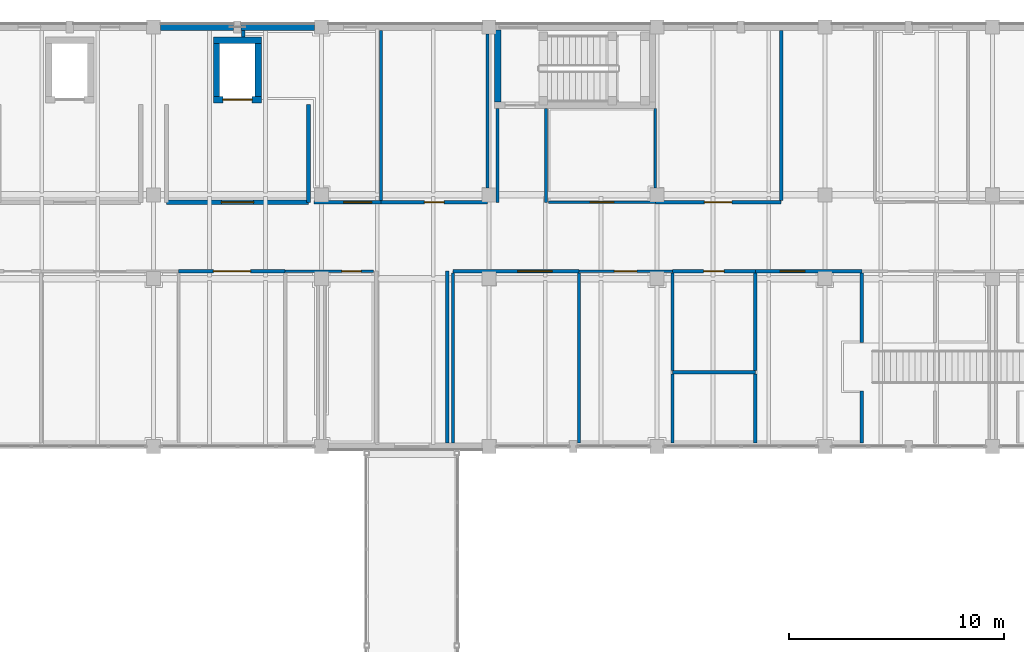
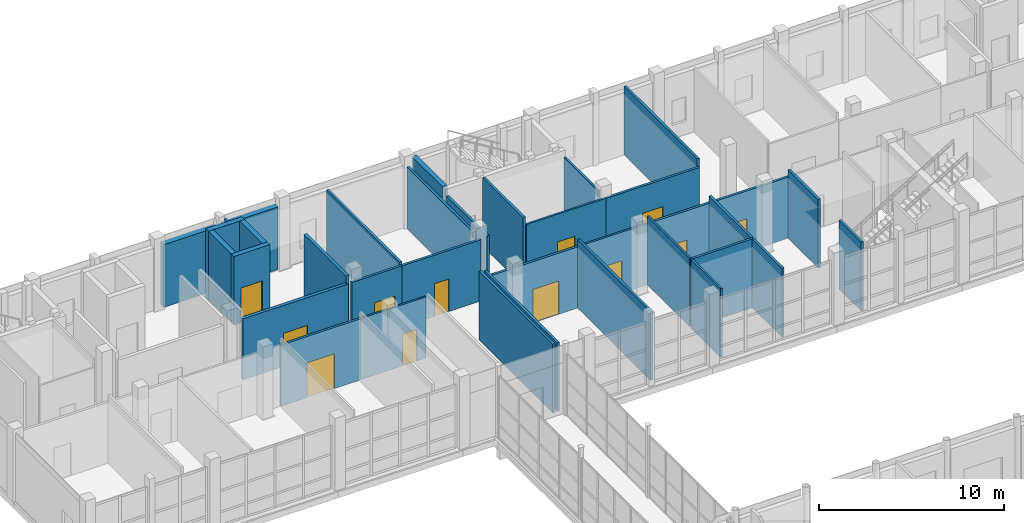
# One storey, part 100 of 131: 36 walls, 12 doors, 12 openings.
"""IFC4 building model written with IfcOpenShell, lengths in metres."""

from ifc_helpers import new_model, si_unit, direction, frame, frame_2d, origin, place, context, subcontext, project, spatial, rectangle, extrude, material, layer, layer_set, type_object, element, fill, save


model = new_model("IFC4")

# Units and contexts
model_context = context("Model", 3, precision=1e-05, world=origin(), true_north=direction((0.0, 1.0)))
body_context = subcontext(model_context, "Body", "Model", "MODEL_VIEW")
ifc_project = project(units=[si_unit("LENGTHUNIT", "METRE"), si_unit("AREAUNIT", "SQUARE_METRE"), si_unit("VOLUMEUNIT", "CUBIC_METRE"), si_unit("PLANEANGLEUNIT", "RADIAN"), si_unit("MASSUNIT", "GRAM", prefix="KILO")], contexts=[model_context])

# Site, building, storey
site_placement = place(None, origin())
site = spatial("IfcSite", under=ifc_project, at=site_placement, CompositionType="ELEMENT")
building_placement = place(site_placement, origin())
building = spatial("IfcBuilding", under=site, at=building_placement, Name="Celorna Specialist Clinic", CompositionType="ELEMENT")
storey_placement = place(building_placement, origin())
storey = spatial("IfcBuildingStorey", under=building, at=storey_placement, Name="L00", CompositionType="ELEMENT", Elevation=0.0)

# Walls
ifc_material_1 = material(Name="Pero Pinheiro Lioz limestone insulated masonry", Category="masonry")
ifc_layer_1 = layer(ifc_material_1, 0.340087890625, Name="Pero Pinheiro Lioz limestone insulated masonry")
ifc_layer_set_1 = layer_set([ifc_layer_1], Name="Pero Pinheiro Lioz limestone insulated masonry")
wall_type_1 = type_object("IfcWallType", Name="WT-07", PredefinedType="STANDARD", material=ifc_layer_set_1)
for number, where, z_axis, x_axis, name in (
    (1, (62.72509765625, 116.0, 0.0), (0.0, 0.0, 1.0), (1.0, 0.0, 0.0), "External facade wall WT-07 #163"),
    (2, (66.47509765625, 116.0, 0.0), (0.0, 0.0, 1.0), (1.0, 0.0, 0.0), "External facade wall WT-07 #164"),
):
    element("IfcWall", number, at=place(storey_placement, frame(where, z_axis=z_axis, x_axis=x_axis)), inside=storey, type_object=wall_type_1, Name=name, PredefinedType="STANDARD", context=body_context, shape_type="SweptSolid", body=[
        extrude(rectangle(XDim=3.39990234375, YDim=0.340087890625, at=frame_2d((1.699951171875, 0.0))), origin(), (0.0, 0.0, 1.0), 4.139892578125),
    ])
ifc_material_2 = material(Name="Concrete C35/45", Category="concrete")
ifc_layer_2 = layer(ifc_material_2, 0.300048828125, Name="Concrete C35/45")
ifc_layer_set_2 = layer_set([ifc_layer_2], Name="Concrete C35/45")
wall_type_2 = type_object("IfcWallType", Name="WT-08", PredefinedType="SHEAR", material=ifc_layer_set_2)
wall_1_placement = place(storey_placement, frame((78.389892578125, 115.85009765625, 0.0), z_axis=(0.0, 0.0, 1.0), x_axis=(0.0, -1.0, 0.0)))
element("IfcWall", 3, at=wall_1_placement, inside=storey, type_object=wall_type_2, Name="Stair ST-02 RC core wall L00 west", PredefinedType="SHEAR", context=body_context, shape_type="SweptSolid", body=[
    extrude(rectangle(XDim=3.330078125, YDim=0.300048828125, at=frame_2d((1.6650390625, 0.0))), origin(), (0.0, 0.0, 1.0), 4.5400390625),
])

# Wall, opening, door
wall_2_placement = place(storey_placement, frame((65.175048828125, 112.625, 0.0), z_axis=(0.0, 0.0, 1.0), x_axis=(1.0, 0.0, 0.0)))
wall_2 = element("IfcWall", 4, at=wall_2_placement, inside=storey, type_object=wall_type_2, Name="Lift LF-02 RC shaft wall L00", PredefinedType="SHEAR", context=body_context, shape_type="SweptSolid", body=[
    extrude(rectangle(XDim=2.25, YDim=0.300048828125, at=frame_2d((1.125, 0.0))), origin(), (0.0, 0.0, 1.0), 4.5400390625),
])
opening_1_placement = place(wall_2_placement, frame((0.449951171875, 0.0, 0.0)))
opening_1 = element("IfcOpeningElement", 5, at=opening_1_placement, cuts=wall_2, Name="Opening LD-02", PredefinedType="OPENING", context=body_context, shape_type="SweptSolid", body=[
    extrude(rectangle(XDim=1.35009765625, YDim=2.300048828125, at=frame_2d((0.675048828125, 1.14990234375))), frame((0.0, 0.159912109375, 0.0), z_axis=(0.0, -1.0, 0.0), x_axis=(1.0, 0.0, 0.0)), (0.0, 0.0, 1.0), 0.320068359375),
])
ifc_material_3 = material(Name="Firefighting stretcher lift landing sliding door")
door_type_1 = type_object("IfcDoorType", Name="LD-02", OperationType="DOUBLE_DOOR_SLIDING", PredefinedType="DOOR", material=ifc_material_3)
door_1_placement = place(opening_1_placement, origin())
door_1 = element("IfcDoor", 6, at=door_1_placement, inside=storey, type_object=door_type_1, Name="Lift LF-02 sliding landing door L00", OperationType="DOUBLE_DOOR_SLIDING", OverallHeight=2.300048828125, OverallWidth=1.35009765625, PredefinedType="DOOR", context=body_context, shape_type="SweptSolid", body=[
    extrude(rectangle(XDim=1.35009765625, YDim=2.300048828125, at=frame_2d((0.675048828125, 1.14990234375))), frame((0.0, 0.02490234375, 0.0), z_axis=(0.0, -1.0, 0.0), x_axis=(1.0, 0.0, 0.0)), (0.0, 0.0, 1.0), 0.050048828125),
])
fill(opening_1, door_1)

# Walls
wall_3_placement = place(storey_placement, frame((67.425048828125, 115.375, 0.0), z_axis=(0.0, 0.0, 1.0), x_axis=(-1.0, 0.0, 0.0)))
element("IfcWall", 7, at=wall_3_placement, inside=storey, type_object=wall_type_2, Name="Lift LF-02 RC shaft wall L00", PredefinedType="SHEAR", context=body_context, shape_type="SweptSolid", body=[
    extrude(rectangle(XDim=2.25, YDim=0.300048828125, at=frame_2d((1.125, 0.0))), origin(), (0.0, 0.0, 1.0), 4.5400390625),
])
for number, where, z_axis, x_axis, name in (
    (8, (65.324951171875, 115.22509765625, 0.0), (0.0, 0.0, 1.0), (0.0, -1.0, 0.0), "Lift LF-02 RC shaft wall L00"),
    (9, (67.27490234375, 112.77490234375, 0.0), (0.0, 0.0, 1.0), (0.0, 1.0, 0.0), "Lift LF-02 RC shaft wall L00"),
):
    element("IfcWall", number, at=place(storey_placement, frame(where, z_axis=z_axis, x_axis=x_axis)), inside=storey, type_object=wall_type_2, Name=name, PredefinedType="SHEAR", context=body_context, shape_type="SweptSolid", body=[
        extrude(rectangle(XDim=2.4501953125, YDim=0.300048828125, at=frame_2d((1.22509765625, 0.0))), origin(), (0.0, 0.0, 1.0), 4.5400390625),
    ])

# Wall, opening, door
ifc_layer_3 = layer(ifc_material_2, 0.199951171875, Name="Concrete C35/45")
ifc_layer_set_3 = layer_set([ifc_layer_3], Name="Concrete C35/45")
wall_type_3 = type_object("IfcWallType", Name="WT-12", PredefinedType="SOLIDWALL", material=ifc_layer_set_3)
wall_4_placement = place(storey_placement, frame((63.0, 107.85009765625, 0.0), z_axis=(0.0, 0.0, 1.0), x_axis=(1.0, 0.0, 0.0)))
wall_4 = element("IfcWall", 10, at=wall_4_placement, inside=storey, type_object=wall_type_3, Name="Firefighting lobby wall LF-02 L00", PredefinedType="SOLIDWALL", context=body_context, shape_type="SweptSolid", body=[
    extrude(rectangle(XDim=6.60009765625, YDim=0.199951171875, at=frame_2d((3.300048828125, 0.0))), origin(), (0.0, 0.0, 1.0), 4.0400390625),
])
opening_2_placement = place(wall_4_placement, frame((2.550048828125, 0.0, 0.0)))
opening_2 = element("IfcOpeningElement", 11, at=opening_2_placement, cuts=wall_4, Name="Opening DR-11", PredefinedType="OPENING", context=body_context, shape_type="SweptSolid", body=[
    extrude(rectangle(XDim=1.5, YDim=2.199951171875, at=frame_2d((0.75, 1.10009765625))), frame((0.0, 0.10986328125, 0.0), z_axis=(0.0, -1.0, 0.0), x_axis=(1.0, 0.0, 0.0)), (0.0, 0.0, 1.0), 0.219970703125),
])
ifc_material_4 = material(Name="Firefighting lobby double fire door")
door_type_2 = type_object("IfcDoorType", Name="DR-11", OperationType="DOUBLE_DOOR_SINGLE_SWING", PredefinedType="DOOR", material=ifc_material_4)
door_2_placement = place(opening_2_placement, origin())
door_2 = element("IfcDoor", 12, at=door_2_placement, inside=storey, type_object=door_type_2, Name="Firefighting lobby fire door LF-02 L00", OperationType="DOUBLE_DOOR_SINGLE_SWING", OverallHeight=2.199951171875, OverallWidth=1.5, PredefinedType="DOOR", context=body_context, shape_type="SweptSolid", body=[
    extrude(rectangle(XDim=1.5, YDim=2.199951171875, at=frame_2d((0.75, 1.10009765625))), frame((0.0, 0.02490234375, 0.0), z_axis=(0.0, -1.0, 0.0), x_axis=(1.0, 0.0, 0.0)), (0.0, 0.0, 1.0), 0.050048828125),
])
fill(opening_2, door_2)

# Walls
wall_5_placement = place(storey_placement, frame((69.60009765625, 107.85009765625, 0.0), z_axis=(0.0, 0.0, 1.0), x_axis=(0.0, 1.0, 0.0)))
element("IfcWall", 13, at=wall_5_placement, inside=storey, type_object=wall_type_3, Name="Firefighting lobby wall LF-02 L00", PredefinedType="SOLIDWALL", context=body_context, shape_type="SweptSolid", body=[
    extrude(rectangle(XDim=4.5498046875, YDim=0.199951171875, at=frame_2d((2.27490234375, 0.0))), origin(), (0.0, 0.0, 1.0), 4.5400390625),
])
ifc_material_5 = material(Name="Fire-rated gypsum board partition")
ifc_layer_4 = layer(ifc_material_5, 0.14990234375, Name="Fire-rated gypsum board partition")
ifc_layer_set_4 = layer_set([ifc_layer_4], Name="Fire-rated gypsum board partition")
wall_type_4 = type_object("IfcWallType", Name="WT-14", PredefinedType="PARTITIONING", material=ifc_layer_set_4)
wall_6_placement = place(storey_placement, frame((78.389892578125, 107.85009765625, 0.0), z_axis=(0.0, 0.0, 1.0), x_axis=(0.0, 1.0, 0.0)))
element("IfcWall", 14, at=wall_6_placement, inside=storey, type_object=wall_type_4, Name="Corridor spur partition WT-14", PredefinedType="PARTITIONING", context=body_context, shape_type="SweptSolid", body=[
    extrude(rectangle(XDim=4.369873046875, YDim=0.14990234375, at=frame_2d((2.18505859375, 0.0))), origin(), (0.0, 0.0, 1.0), 4.090087890625),
])
wall_7_placement = place(storey_placement, frame((80.639892578125, 107.85009765625, 0.0), z_axis=(0.0, 0.0, 1.0), x_axis=(0.0, 1.0, 0.0)))
element("IfcWall", 15, at=wall_7_placement, inside=storey, type_object=wall_type_4, Name="Corridor spur partition WT-14", PredefinedType="PARTITIONING", context=body_context, shape_type="SweptSolid", body=[
    extrude(rectangle(XDim=4.369873046875, YDim=0.14990234375, at=frame_2d((2.18505859375, 0.0))), origin(), (0.0, 0.0, 1.0), 4.5400390625),
])
wall_8_placement = place(storey_placement, frame((76.050048828125, 96.669921875, 0.0), z_axis=(0.0, 0.0, 1.0), x_axis=(0.0, 1.0, 0.0)))
element("IfcWall", 16, at=wall_8_placement, inside=storey, type_object=wall_type_4, Name="Corridor spur partition WT-14", PredefinedType="PARTITIONING", context=body_context, shape_type="SweptSolid", body=[
    extrude(rectangle(XDim=7.97998046875, YDim=0.14990234375, at=frame_2d((3.989990234375, 0.0))), origin(), (0.0, 0.0, 1.0), 4.5400390625),
])

# Wall, opening, door
wall_9_placement = place(storey_placement, frame((68.52001953125, 104.64990234375, 0.0), z_axis=(0.0, 0.0, 1.0), x_axis=(-1.0, 0.0, 0.0)))
wall_9 = element("IfcWall", 17, at=wall_9_placement, inside=storey, type_object=wall_type_4, Name="Interior partition WT-14 L00-053", PredefinedType="PARTITIONING", context=body_context, shape_type="SweptSolid", body=[
    extrude(rectangle(XDim=4.949951171875, YDim=0.14990234375, at=frame_2d((2.47509765625, 0.0))), origin(), (0.0, 0.0, 1.0), 4.0400390625),
])
opening_3_placement = place(wall_9_placement, frame((1.614990234375, 0.0, 0.0)))
opening_3 = element("IfcOpeningElement", 18, at=opening_3_placement, cuts=wall_9, Name="Opening DR-24", PredefinedType="OPENING", context=body_context, shape_type="SweptSolid", body=[
    extrude(rectangle(XDim=1.719970703125, YDim=2.300048828125, at=frame_2d((0.85986328125, 1.14990234375))), frame((0.0, 0.0849609375, 0.0), z_axis=(0.0, -1.0, 0.0), x_axis=(1.0, 0.0, 0.0)), (0.0, 0.0, 1.0), 0.169921875),
])
ifc_material_6 = material(Name="Double leaf clinical waiting door")
door_type_3 = type_object("IfcDoorType", Name="DR-24", OperationType="DOUBLE_DOOR_SINGLE_SWING", PredefinedType="DOOR", material=ifc_material_6)
door_3_placement = place(opening_3_placement, origin())
door_3 = element("IfcDoor", 19, at=door_3_placement, inside=storey, type_object=door_type_3, Name="Phlebotomy and Blood Collection Suite door L00-053", OperationType="DOUBLE_DOOR_SINGLE_SWING", OverallHeight=2.300048828125, OverallWidth=1.719970703125, PredefinedType="DOOR", context=body_context, shape_type="SweptSolid", body=[
    extrude(rectangle(XDim=1.719970703125, YDim=2.300048828125, at=frame_2d((0.85986328125, 1.14990234375))), frame((0.0, 0.02490234375, 0.0), z_axis=(0.0, -1.0, 0.0), x_axis=(1.0, 0.0, 0.0)), (0.0, 0.0, 1.0), 0.050048828125),
])
fill(opening_3, door_3)

wall_10_placement = place(storey_placement, frame((82.169921875, 104.64990234375, 0.0), z_axis=(0.0, 0.0, 1.0), x_axis=(-1.0, 0.0, 0.0)))
wall_10 = element("IfcWall", 20, at=wall_10_placement, inside=storey, type_object=wall_type_4, Name="Interior partition WT-14 L00-055", PredefinedType="PARTITIONING", context=body_context, shape_type="SweptSolid", body=[
    extrude(rectangle(XDim=5.849853515625, YDim=0.14990234375, at=frame_2d((2.9248046875, 0.0))), origin(), (0.0, 0.0, 1.0), 4.0400390625),
])
opening_4_placement = place(wall_10_placement, frame((1.24755859375, 0.0, 0.0)))
opening_4 = element("IfcOpeningElement", 21, at=opening_4_placement, cuts=wall_10, Name="Opening DR-12", PredefinedType="OPENING", context=body_context, shape_type="SweptSolid", body=[
    extrude(rectangle(XDim=1.60009765625, YDim=2.199951171875, at=frame_2d((0.800048828125, 1.10009765625))), frame((0.0, 0.0849609375, 0.0), z_axis=(0.0, -1.0, 0.0), x_axis=(1.0, 0.0, 0.0)), (0.0, 0.0, 1.0), 0.169921875),
])
ifc_material_7 = material(Name="Corridor cross-compartment pair door")
door_type_4 = type_object("IfcDoorType", Name="DR-12", OperationType="DOUBLE_DOOR_SINGLE_SWING", PredefinedType="DOOR", material=ifc_material_7)
door_4_placement = place(opening_4_placement, origin())
door_4 = element("IfcDoor", 22, at=door_4_placement, inside=storey, type_object=door_type_4, Name="Outpatient Waiting Lounge door L00-055", OperationType="DOUBLE_DOOR_SINGLE_SWING", OverallHeight=2.199951171875, OverallWidth=1.60009765625, PredefinedType="DOOR", context=body_context, shape_type="SweptSolid", body=[
    extrude(rectangle(XDim=1.60009765625, YDim=2.199951171875, at=frame_2d((0.800048828125, 1.10009765625))), frame((0.0, 0.02490234375, 0.0), z_axis=(0.0, -1.0, 0.0), x_axis=(1.0, 0.0, 0.0)), (0.0, 0.0, 1.0), 0.050048828125),
])
fill(opening_4, door_4)

wall_11_placement = place(storey_placement, frame((90.3701171875, 104.64990234375, 0.0), z_axis=(0.0, 0.0, 1.0), x_axis=(-1.0, 0.0, 0.0)))
wall_11 = element("IfcWall", 23, at=wall_11_placement, inside=storey, type_object=wall_type_4, Name="Interior partition WT-14 L00-057", PredefinedType="PARTITIONING", context=body_context, shape_type="SweptSolid", body=[
    extrude(rectangle(XDim=3.85009765625, YDim=0.14990234375, at=frame_2d((1.925048828125, 0.0))), origin(), (0.0, 0.0, 1.0), 4.0400390625),
])
opening_5_placement = place(wall_11_placement, frame((1.449951171875, 0.0, 0.0)))
opening_5 = element("IfcOpeningElement", 24, at=opening_5_placement, cuts=wall_11, Name="Opening DR-03", PredefinedType="OPENING", context=body_context, shape_type="SweptSolid", body=[
    extrude(rectangle(XDim=0.949951171875, YDim=2.10009765625, at=frame_2d((0.47509765625, 1.050048828125))), frame((0.0, 0.0849609375, 0.0), z_axis=(0.0, -1.0, 0.0), x_axis=(1.0, 0.0, 0.0)), (0.0, 0.0, 1.0), 0.169921875),
])
ifc_material_8 = material(Name="Moisture-resistant accessible WC door")
door_type_5 = type_object("IfcDoorType", Name="DR-03", OperationType="NOTDEFINED", PredefinedType="DOOR", material=ifc_material_8)
door_5_placement = place(opening_5_placement, origin())
door_5 = element("IfcDoor", 25, at=door_5_placement, inside=storey, type_object=door_type_5, Name="Accessible WC door L00-057", OperationType="SINGLE_SWING_LEFT", OverallHeight=2.10009765625, OverallWidth=0.949951171875, PredefinedType="DOOR", context=body_context, shape_type="SweptSolid", body=[
    extrude(rectangle(XDim=0.949951171875, YDim=2.10009765625, at=frame_2d((0.47509765625, 1.050048828125))), frame((0.0, 0.02490234375, 0.0), z_axis=(0.0, -1.0, 0.0), x_axis=(1.0, 0.0, 0.0)), (0.0, 0.0, 1.0), 0.050048828125),
])
fill(opening_5, door_5)

# Wall
wall_12_placement = place(storey_placement, frame((86.52001953125, 99.949951171875, 0.0), z_axis=(0.0, 0.0, 1.0), x_axis=(1.0, 0.0, 0.0)))
element("IfcWall", 26, at=wall_12_placement, inside=storey, type_object=wall_type_4, Name="Sanitary suite rear partition L00-057", PredefinedType="PARTITIONING", context=body_context, shape_type="SweptSolid", body=[
    extrude(rectangle(XDim=3.85009765625, YDim=0.14990234375, at=frame_2d((1.925048828125, 0.0))), origin(), (0.0, 0.0, 1.0), 4.5400390625),
])

# Wall, opening, door
wall_13_placement = place(storey_placement, frame((95.320068359375, 104.64990234375, 0.0), z_axis=(0.0, 0.0, 1.0), x_axis=(-1.0, 0.0, 0.0)))
wall_13 = element("IfcWall", 27, at=wall_13_placement, inside=storey, type_object=wall_type_4, Name="Interior partition WT-14 L00-058", PredefinedType="PARTITIONING", context=body_context, shape_type="SweptSolid", body=[
    extrude(rectangle(XDim=4.949951171875, YDim=0.14990234375, at=frame_2d((2.47509765625, 0.0))), origin(), (0.0, 0.0, 1.0), 4.0400390625),
])
opening_6_placement = place(wall_13_placement, frame((2.642578125, 0.0, 0.0)))
opening_6 = element("IfcOpeningElement", 28, at=opening_6_placement, cuts=wall_13, Name="Opening DR-07", PredefinedType="OPENING", context=body_context, shape_type="SweptSolid", body=[
    extrude(rectangle(XDim=1.14990234375, YDim=2.199951171875, at=frame_2d((0.574951171875, 1.10009765625))), frame((0.0, 0.0849609375, 0.0), z_axis=(0.0, -1.0, 0.0), x_axis=(1.0, 0.0, 0.0)), (0.0, 0.0, 1.0), 0.169921875),
])
ifc_material_9 = material(Name="Hermetic cleanroom airlock door")
door_type_6 = type_object("IfcDoorType", Name="DR-07", OperationType="NOTDEFINED", PredefinedType="DOOR", material=ifc_material_9)
door_6_placement = place(opening_6_placement, origin())
door_6 = element("IfcDoor", 29, at=door_6_placement, inside=storey, type_object=door_type_6, Name="Consulting Room door L00-058", OperationType="SINGLE_SWING_RIGHT", OverallHeight=2.199951171875, OverallWidth=1.14990234375, PredefinedType="DOOR", context=body_context, shape_type="SweptSolid", body=[
    extrude(rectangle(XDim=1.14990234375, YDim=2.199951171875, at=frame_2d((0.574951171875, 1.10009765625))), frame((0.0, 0.02490234375, 0.0), z_axis=(0.0, -1.0, 0.0), x_axis=(1.0, 0.0, 0.0)), (0.0, 0.0, 1.0), 0.050048828125),
])
fill(opening_6, door_6)

wall_14_placement = place(storey_placement, frame((69.85009765625, 107.85009765625, 0.0), z_axis=(0.0, 0.0, 1.0), x_axis=(1.0, 0.0, 0.0)))
wall_14 = element("IfcWall", 30, at=wall_14_placement, inside=storey, type_object=wall_type_4, Name="Interior partition WT-14 L00-072", PredefinedType="PARTITIONING", context=body_context, shape_type="SweptSolid", body=[
    extrude(rectangle(XDim=3.119873046875, YDim=0.14990234375, at=frame_2d((1.56005859375, 0.0))), origin(), (0.0, 0.0, 1.0), 4.0400390625),
])
opening_7_placement = place(wall_14_placement, frame((1.385009765625, 0.0, 0.0)))
opening_7 = element("IfcOpeningElement", 31, at=opening_7_placement, cuts=wall_14, Name="Opening DR-09", PredefinedType="OPENING", context=body_context, shape_type="SweptSolid", body=[
    extrude(rectangle(XDim=1.300048828125, YDim=2.199951171875, at=frame_2d((0.64990234375, 1.10009765625))), frame((0.0, 0.0849609375, 0.0), z_axis=(0.0, -1.0, 0.0), x_axis=(1.0, 0.0, 0.0)), (0.0, 0.0, 1.0), 0.169921875),
])
ifc_material_10 = material(Name="Lead-lined radiology room door")
door_type_7 = type_object("IfcDoorType", Name="DR-09", OperationType="NOTDEFINED", PredefinedType="DOOR", material=ifc_material_10)
door_7_placement = place(opening_7_placement, origin())
door_7 = element("IfcDoor", 32, at=door_7_placement, inside=storey, type_object=door_type_7, Name="Outpatient Clinic door L00-072", OperationType="SINGLE_SWING_RIGHT", OverallHeight=2.199951171875, OverallWidth=1.300048828125, PredefinedType="DOOR", context=body_context, shape_type="SweptSolid", body=[
    extrude(rectangle(XDim=1.300048828125, YDim=2.199951171875, at=frame_2d((0.64990234375, 1.10009765625))), frame((0.0, 0.02490234375, 0.0), z_axis=(0.0, -1.0, 0.0), x_axis=(1.0, 0.0, 0.0)), (0.0, 0.0, 1.0), 0.050048828125),
])
fill(opening_7, door_7)

wall_15_placement = place(storey_placement, frame((72.969970703125, 107.85009765625, 0.0), z_axis=(0.0, 0.0, 1.0), x_axis=(1.0, 0.0, 0.0)))
wall_15 = element("IfcWall", 33, at=wall_15_placement, inside=storey, type_object=wall_type_4, Name="Interior partition WT-14 L00-073", PredefinedType="PARTITIONING", context=body_context, shape_type="SweptSolid", body=[
    extrude(rectangle(XDim=4.949951171875, YDim=0.14990234375, at=frame_2d((2.47509765625, 0.0))), origin(), (0.0, 0.0, 1.0), 4.0400390625),
])
opening_8_placement = place(wall_15_placement, frame((2.014892578125, 0.0, 0.0)))
opening_8 = element("IfcOpeningElement", 34, at=opening_8_placement, cuts=wall_15, Name="Opening DR-20", PredefinedType="OPENING", context=body_context, shape_type="SweptSolid", body=[
    extrude(rectangle(XDim=0.919921875, YDim=2.14990234375, at=frame_2d((0.4599609375, 1.074951171875))), frame((0.0, 0.0849609375, 0.0), z_axis=(0.0, -1.0, 0.0), x_axis=(1.0, 0.0, 0.0)), (0.0, 0.0, 1.0), 0.169921875),
])
ifc_material_11 = material(Name="Timber clinical consultation door", Category="wood")
door_type_8 = type_object("IfcDoorType", Name="DR-20", OperationType="NOTDEFINED", PredefinedType="DOOR", material=ifc_material_11)
door_8_placement = place(opening_8_placement, origin())
door_8 = element("IfcDoor", 35, at=door_8_placement, inside=storey, type_object=door_type_8, Name="Consulting Room door L00-073", OperationType="SINGLE_SWING_LEFT", OverallHeight=2.14990234375, OverallWidth=0.919921875, PredefinedType="DOOR", context=body_context, shape_type="SweptSolid", body=[
    extrude(rectangle(XDim=0.919921875, YDim=2.14990234375, at=frame_2d((0.4599609375, 1.074951171875))), frame((0.0, 0.02490234375, 0.0), z_axis=(0.0, -1.0, 0.0), x_axis=(1.0, 0.0, 0.0)), (0.0, 0.0, 1.0), 0.050048828125),
])
fill(opening_8, door_8)

wall_16_placement = place(storey_placement, frame((85.719970703125, 107.85009765625, 0.0), z_axis=(0.0, 0.0, 1.0), x_axis=(1.0, 0.0, 0.0)))
wall_16 = element("IfcWall", 36, at=wall_16_placement, inside=storey, type_object=wall_type_4, Name="Interior partition WT-14 L00-075", PredefinedType="PARTITIONING", context=body_context, shape_type="SweptSolid", body=[
    extrude(rectangle(XDim=5.85009765625, YDim=0.14990234375, at=frame_2d((2.925048828125, 0.0))), origin(), (0.0, 0.0, 1.0), 4.0400390625),
])
opening_9_placement = place(wall_16_placement, frame((2.284912109375, 0.0, 0.0)))
opening_9 = element("IfcOpeningElement", 37, at=opening_9_placement, cuts=wall_16, Name="Opening DR-22", PredefinedType="OPENING", context=body_context, shape_type="SweptSolid", body=[
    extrude(rectangle(XDim=1.280029296875, YDim=2.25, at=frame_2d((0.64013671875, 1.125))), frame((0.0, 0.0849609375, 0.0), z_axis=(0.0, -1.0, 0.0), x_axis=(1.0, 0.0, 0.0)), (0.0, 0.0, 1.0), 0.169921875),
])
ifc_material_12 = material(Name="Diagnostic procedure room door")
door_type_9 = type_object("IfcDoorType", Name="DR-22", OperationType="NOTDEFINED", PredefinedType="DOOR", material=ifc_material_12)
door_9_placement = place(opening_9_placement, origin())
door_9 = element("IfcDoor", 38, at=door_9_placement, inside=storey, type_object=door_type_9, Name="Phlebotomy and Blood Collection Suite door L00-075", OperationType="SINGLE_SWING_LEFT", OverallHeight=2.25, OverallWidth=1.280029296875, PredefinedType="DOOR", context=body_context, shape_type="SweptSolid", body=[
    extrude(rectangle(XDim=1.280029296875, YDim=2.25, at=frame_2d((0.64013671875, 1.125))), frame((0.0, 0.02490234375, 0.0), z_axis=(0.0, -1.0, 0.0), x_axis=(1.0, 0.0, 0.0)), (0.0, 0.0, 1.0), 0.050048828125),
])
fill(opening_9, door_9)

# Walls
for number, where, z_axis, x_axis, name in (
    (39, (76.320068359375, 96.669921875, 0.0), (0.0, 0.0, 1.0), (0.0, 1.0, 0.0), "Room dividing partition WT-14 L00-055"),
    (40, (82.169921875, 96.669921875, 0.0), (0.0, 0.0, 1.0), (0.0, 1.0, 0.0), "Room dividing partition WT-14 L00-055"),
):
    element("IfcWall", number, at=place(storey_placement, frame(where, z_axis=z_axis, x_axis=x_axis)), inside=storey, type_object=wall_type_4, Name=name, PredefinedType="PARTITIONING", context=body_context, shape_type="SweptSolid", body=[
        extrude(rectangle(XDim=7.905029296875, YDim=0.14990234375, at=frame_2d((3.95263671875, 0.0))), origin(), (0.0, 0.0, 1.0), 4.5400390625),
    ])
wall_17_placement = place(storey_placement, frame((90.3701171875, 100.02490234375, 0.0), z_axis=(0.0, 0.0, 1.0), x_axis=(0.0, 1.0, 0.0)))
element("IfcWall", 41, at=wall_17_placement, inside=storey, type_object=wall_type_4, Name="Room dividing partition WT-14 L00-057", PredefinedType="PARTITIONING", context=body_context, shape_type="SweptSolid", body=[
    extrude(rectangle(XDim=4.550048828125, YDim=0.14990234375, at=frame_2d((2.27490234375, 0.0))), origin(), (0.0, 0.0, 1.0), 4.5400390625),
])
wall_18_placement = place(storey_placement, frame((90.3701171875, 96.669921875, 0.0), z_axis=(0.0, 0.0, 1.0), x_axis=(0.0, 1.0, 0.0)))
element("IfcWall", 42, at=wall_18_placement, inside=storey, type_object=wall_type_4, Name="Room dividing partition WT-14 L00-058", PredefinedType="PARTITIONING", context=body_context, shape_type="SweptSolid", body=[
    extrude(rectangle(XDim=3.205078125, YDim=0.14990234375, at=frame_2d((1.6025390625, 0.0))), origin(), (0.0, 0.0, 1.0), 4.5400390625),
])
wall_19_placement = place(storey_placement, frame((95.320068359375, 96.669921875, 0.0), z_axis=(0.0, 0.0, 1.0), x_axis=(0.0, 1.0, 0.0)))
element("IfcWall", 43, at=wall_19_placement, inside=storey, type_object=wall_type_4, Name="Room dividing partition WT-14 L00-058", PredefinedType="PARTITIONING", context=body_context, shape_type="SweptSolid", body=[
    extrude(rectangle(XDim=2.405029296875, YDim=0.14990234375, at=frame_2d((1.20263671875, 0.0))), origin(), (0.0, 0.0, 1.0), 4.5400390625),
])
wall_20_placement = place(storey_placement, frame((95.320068359375, 101.324951171875, 0.0), z_axis=(0.0, 0.0, 1.0), x_axis=(0.0, 1.0, 0.0)))
element("IfcWall", 44, at=wall_20_placement, inside=storey, type_object=wall_type_4, Name="Room dividing partition WT-14 L00-058", PredefinedType="PARTITIONING", context=body_context, shape_type="SweptSolid", body=[
    extrude(rectangle(XDim=3.25, YDim=0.14990234375, at=frame_2d((1.625, 0.0))), origin(), (0.0, 0.0, 1.0), 4.5400390625),
])
wall_21_placement = place(storey_placement, frame((66.570068359375, 115.52490234375, 0.0), z_axis=(0.0, 0.0, 1.0), x_axis=(0.0, 1.0, 0.0)))
element("IfcWall", 45, at=wall_21_placement, inside=storey, type_object=wall_type_4, Name="Room dividing partition WT-14 L00-072", PredefinedType="PARTITIONING", context=body_context, shape_type="SweptSolid", body=[
    extrude(rectangle(XDim=0.30517578125, YDim=0.14990234375, at=frame_2d((0.152587890625, 0.0))), origin(), (0.0, 0.0, 1.0), 4.5400390625),
])
wall_22_placement = place(storey_placement, frame((72.969970703125, 107.925048828125, 0.0), z_axis=(0.0, 0.0, 1.0), x_axis=(0.0, 1.0, 0.0)))
element("IfcWall", 46, at=wall_22_placement, inside=storey, type_object=wall_type_4, Name="Room dividing partition WT-14 L00-072", PredefinedType="PARTITIONING", context=body_context, shape_type="SweptSolid", body=[
    extrude(rectangle(XDim=7.905029296875, YDim=0.14990234375, at=frame_2d((3.95263671875, 0.0))), origin(), (0.0, 0.0, 1.0), 4.2099609375),
])
wall_23_placement = place(storey_placement, frame((77.919921875, 108.52490234375, 0.0), z_axis=(0.0, 0.0, 1.0), x_axis=(0.0, 1.0, 0.0)))
element("IfcWall", 47, at=wall_23_placement, inside=storey, type_object=wall_type_4, Name="Room dividing partition WT-14 L00-073", PredefinedType="PARTITIONING", context=body_context, shape_type="SweptSolid", body=[
    extrude(rectangle(XDim=7.150146484375, YDim=0.14990234375, at=frame_2d((3.5751953125, 0.0))), origin(), (0.0, 0.0, 1.0), 4.090087890625),
])
wall_24_placement = place(storey_placement, frame((91.570068359375, 107.925048828125, 0.0), z_axis=(0.0, 0.0, 1.0), x_axis=(0.0, 1.0, 0.0)))
element("IfcWall", 48, at=wall_24_placement, inside=storey, type_object=wall_type_4, Name="Room dividing partition WT-14 L00-075", PredefinedType="PARTITIONING", context=body_context, shape_type="SweptSolid", body=[
    extrude(rectangle(XDim=7.905029296875, YDim=0.14990234375, at=frame_2d((3.95263671875, 0.0))), origin(), (0.0, 0.0, 1.0), 4.5400390625),
])

# Wall, opening, door
ifc_material_13 = material(Name="Acoustic gypsum board partition")
ifc_layer_5 = layer(ifc_material_13, 0.1201171875, Name="Acoustic gypsum board partition")
ifc_layer_set_5 = layer_set([ifc_layer_5], Name="Acoustic gypsum board partition")
wall_type_5 = type_object("IfcWallType", Name="WT-15", PredefinedType="PARTITIONING", material=ifc_layer_set_5)
wall_25_placement = place(storey_placement, frame((72.6298828125, 104.64990234375, 0.0), z_axis=(0.0, 0.0, 1.0), x_axis=(-1.0, 0.0, 0.0)))
wall_25 = element("IfcWall", 49, at=wall_25_placement, inside=storey, type_object=wall_type_5, Name="Interior partition WT-15 L00-054", PredefinedType="PARTITIONING", context=body_context, shape_type="SweptSolid", body=[
    extrude(rectangle(XDim=4.10986328125, YDim=0.1201171875, at=frame_2d((2.054931640625, 0.0))), origin(), (0.0, 0.0, 1.0), 4.0400390625),
])
opening_10_placement = place(wall_25_placement, frame((0.577392578125, 0.0, 0.0)))
opening_10 = element("IfcOpeningElement", 50, at=opening_10_placement, cuts=wall_25, Name="Opening DR-02", PredefinedType="OPENING", context=body_context, shape_type="SweptSolid", body=[
    extrude(rectangle(XDim=0.89990234375, YDim=2.10009765625, at=frame_2d((0.449951171875, 1.050048828125))), frame((0.0, 0.070068359375, 0.0), z_axis=(0.0, -1.0, 0.0), x_axis=(1.0, 0.0, 0.0)), (0.0, 0.0, 1.0), 0.14013671875),
])
ifc_material_14 = material(Name="Timber acoustic clinical door", Category="wood")
door_type_10 = type_object("IfcDoorType", Name="DR-02", OperationType="NOTDEFINED", PredefinedType="DOOR", material=ifc_material_14)
door_10_placement = place(opening_10_placement, origin())
door_10 = element("IfcDoor", 51, at=door_10_placement, inside=storey, type_object=door_type_10, Name="ECG and Vital Signs Triage Room door L00-054", OperationType="SINGLE_SWING_RIGHT", OverallHeight=2.10009765625, OverallWidth=0.89990234375, PredefinedType="DOOR", context=body_context, shape_type="SweptSolid", body=[
    extrude(rectangle(XDim=0.89990234375, YDim=2.10009765625, at=frame_2d((0.449951171875, 1.050048828125))), frame((0.0, 0.02490234375, 0.0), z_axis=(0.0, -1.0, 0.0), x_axis=(1.0, 0.0, 0.0)), (0.0, 0.0, 1.0), 0.050048828125),
])
fill(opening_10, door_10)

wall_26_placement = place(storey_placement, frame((86.52001953125, 104.64990234375, 0.0), z_axis=(0.0, 0.0, 1.0), x_axis=(-1.0, 0.0, 0.0)))
wall_26 = element("IfcWall", 52, at=wall_26_placement, inside=storey, type_object=wall_type_5, Name="Interior partition WT-15 L00-056", PredefinedType="PARTITIONING", context=body_context, shape_type="SweptSolid", body=[
    extrude(rectangle(XDim=4.35009765625, YDim=0.1201171875, at=frame_2d((2.175048828125, 0.0))), origin(), (0.0, 0.0, 1.0), 4.0400390625),
])
opening_11_placement = place(wall_26_placement, frame((1.64990234375, 0.0, 0.0)))
opening_11 = element("IfcOpeningElement", 53, at=opening_11_placement, cuts=wall_26, Name="Opening DR-05", PredefinedType="OPENING", context=body_context, shape_type="SweptSolid", body=[
    extrude(rectangle(XDim=1.050048828125, YDim=2.14990234375, at=frame_2d((0.52490234375, 1.074951171875))), frame((0.0, 0.070068359375, 0.0), z_axis=(0.0, -1.0, 0.0), x_axis=(1.0, 0.0, 0.0)), (0.0, 0.0, 1.0), 0.14013671875),
])
ifc_material_15 = material(Name="Timber examination room door", Category="wood")
door_type_11 = type_object("IfcDoorType", Name="DR-05", OperationType="NOTDEFINED", PredefinedType="DOOR", material=ifc_material_15)
door_11_placement = place(opening_11_placement, origin())
door_11 = element("IfcDoor", 54, at=door_11_placement, inside=storey, type_object=door_type_11, Name="Clean Utility Room door L00-056", OperationType="SINGLE_SWING_RIGHT", OverallHeight=2.14990234375, OverallWidth=1.050048828125, PredefinedType="DOOR", context=body_context, shape_type="SweptSolid", body=[
    extrude(rectangle(XDim=1.050048828125, YDim=2.14990234375, at=frame_2d((0.52490234375, 1.074951171875))), frame((0.0, 0.02490234375, 0.0), z_axis=(0.0, -1.0, 0.0), x_axis=(1.0, 0.0, 0.0)), (0.0, 0.0, 1.0), 0.050048828125),
])
fill(opening_11, door_11)

wall_27_placement = place(storey_placement, frame((80.760009765625, 107.85009765625, 0.0), z_axis=(0.0, 0.0, 1.0), x_axis=(1.0, 0.0, 0.0)))
wall_27 = element("IfcWall", 55, at=wall_27_placement, inside=storey, type_object=wall_type_5, Name="Interior partition WT-15 L00-074", PredefinedType="PARTITIONING", context=body_context, shape_type="SweptSolid", body=[
    extrude(rectangle(XDim=4.9599609375, YDim=0.1201171875, at=frame_2d((2.47998046875, 0.0))), origin(), (0.0, 0.0, 1.0), 4.0400390625),
])
opening_12_placement = place(wall_27_placement, frame((1.93994140625, 0.0, 0.0)))
opening_12 = element("IfcOpeningElement", 56, at=opening_12_placement, cuts=wall_27, Name="Opening DR-21", PredefinedType="OPENING", context=body_context, shape_type="SweptSolid", body=[
    extrude(rectangle(XDim=1.080078125, YDim=2.199951171875, at=frame_2d((0.5400390625, 1.10009765625))), frame((0.0, 0.070068359375, 0.0), z_axis=(0.0, -1.0, 0.0), x_axis=(1.0, 0.0, 0.0)), (0.0, 0.0, 1.0), 0.14013671875),
])
ifc_material_16 = material(Name="Timber outpatient suite door", Category="wood")
door_type_12 = type_object("IfcDoorType", Name="DR-21", OperationType="NOTDEFINED", PredefinedType="DOOR", material=ifc_material_16)
door_12_placement = place(opening_12_placement, origin())
door_12 = element("IfcDoor", 57, at=door_12_placement, inside=storey, type_object=door_type_12, Name="Specialist Examination Room door L00-074", OperationType="SINGLE_SWING_RIGHT", OverallHeight=2.199951171875, OverallWidth=1.080078125, PredefinedType="DOOR", context=body_context, shape_type="SweptSolid", body=[
    extrude(rectangle(XDim=1.080078125, YDim=2.199951171875, at=frame_2d((0.5400390625, 1.10009765625))), frame((0.0, 0.02490234375, 0.0), z_axis=(0.0, -1.0, 0.0), x_axis=(1.0, 0.0, 0.0)), (0.0, 0.0, 1.0), 0.050048828125),
])
fill(opening_12, door_12)

# Walls
wall_28_placement = place(storey_placement, frame((86.52001953125, 96.669921875, 0.0), z_axis=(0.0, 0.0, 1.0), x_axis=(0.0, 1.0, 0.0)))
element("IfcWall", 58, at=wall_28_placement, inside=storey, type_object=wall_type_5, Name="Room dividing partition WT-15 L00-056", PredefinedType="PARTITIONING", context=body_context, shape_type="SweptSolid", body=[
    extrude(rectangle(XDim=3.205078125, YDim=0.1201171875, at=frame_2d((1.6025390625, 0.0))), origin(), (0.0, 0.0, 1.0), 4.5400390625),
])
wall_29_placement = place(storey_placement, frame((86.52001953125, 100.02490234375, 0.0), z_axis=(0.0, 0.0, 1.0), x_axis=(0.0, 1.0, 0.0)))
element("IfcWall", 59, at=wall_29_placement, inside=storey, type_object=wall_type_5, Name="Room dividing partition WT-15 L00-056", PredefinedType="PARTITIONING", context=body_context, shape_type="SweptSolid", body=[
    extrude(rectangle(XDim=4.550048828125, YDim=0.1201171875, at=frame_2d((2.27490234375, 0.0))), origin(), (0.0, 0.0, 1.0), 4.5400390625),
])
wall_30_placement = place(storey_placement, frame((85.719970703125, 108.52490234375, 0.0), z_axis=(0.0, 0.0, 1.0), x_axis=(0.0, 1.0, 0.0)))
element("IfcWall", 60, at=wall_30_placement, inside=storey, type_object=wall_type_5, Name="Room dividing partition WT-15 L00-074", PredefinedType="PARTITIONING", context=body_context, shape_type="SweptSolid", body=[
    extrude(rectangle(XDim=3.695068359375, YDim=0.1201171875, at=frame_2d((1.84765625, 0.0))), origin(), (0.0, 0.0, 1.0), 4.090087890625),
])

save(model, "model.ifc")
